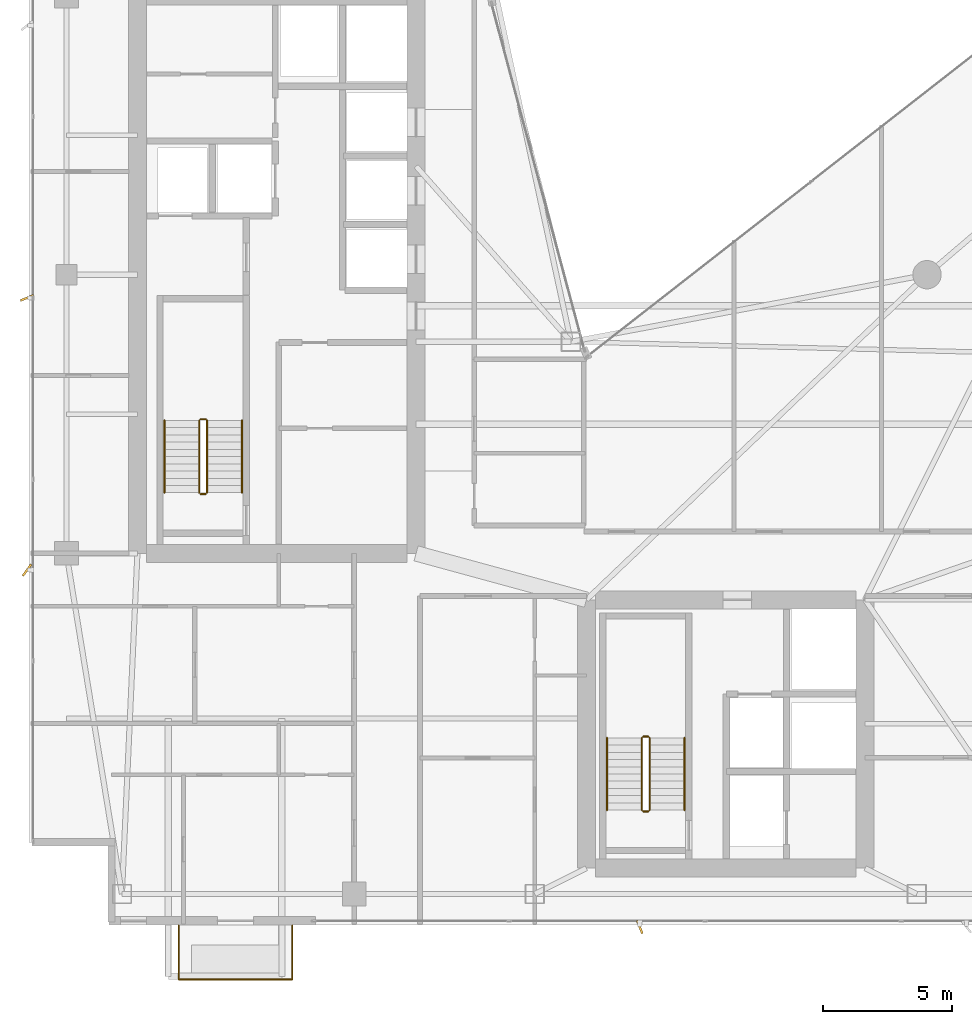
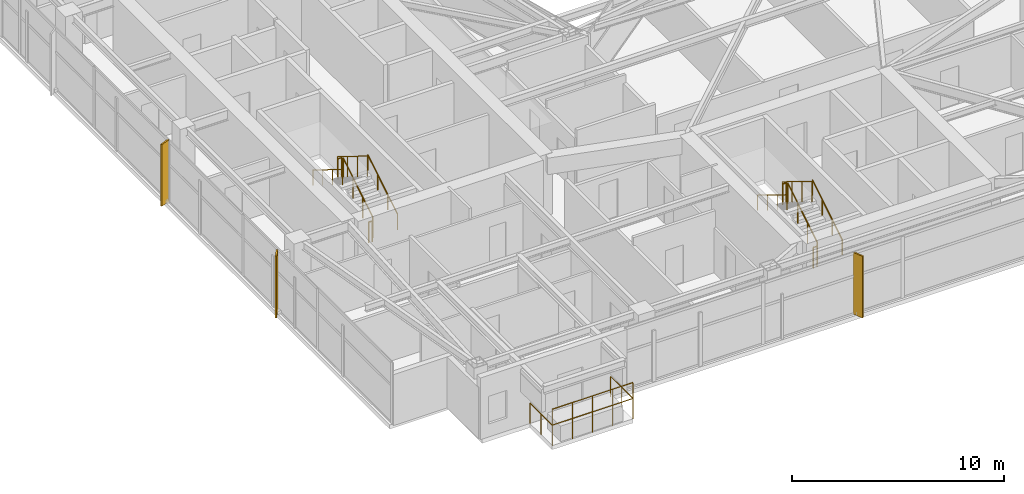
# One storey, part 29 of 30: 14 railings, 3 shading devices.
"""IFC4 building model written with IfcOpenShell, lengths in metres."""

from ifc_helpers import new_model, si_unit, direction, frame, origin, origin_2d, place, context, subcontext, project, spatial, rectangle, circle, extrude, material, type_object, element, save


model = new_model("IFC4")

# Units and contexts
model_context = context("Model", 3, precision=1e-05, world=origin(), true_north=direction((0.0, 1.0)))
body_context = subcontext(model_context, "Body", "Model", "MODEL_VIEW")
ifc_project = project(units=[si_unit("LENGTHUNIT", "METRE"), si_unit("AREAUNIT", "SQUARE_METRE"), si_unit("VOLUMEUNIT", "CUBIC_METRE"), si_unit("PLANEANGLEUNIT", "RADIAN"), si_unit("MASSUNIT", "GRAM", prefix="KILO")], contexts=[model_context])

# Site, building, storey
site_placement = place(None, origin())
site = spatial("IfcSite", under=ifc_project, at=site_placement, CompositionType="ELEMENT")
building_placement = place(site_placement, origin())
building = spatial("IfcBuilding", under=site, at=building_placement, Name="Calvorn Quay Hotel", CompositionType="ELEMENT")
storey_placement = place(building_placement, frame((0.0, 0.0, 203.39990234375)))
storey = spatial("IfcBuildingStorey", under=building, at=storey_placement, Name="L50", CompositionType="ELEMENT", Elevation=203.39990234375)

# Railings
ifc_material_1 = material(Name="Pale Anodised Aluminium and Laminated Glass", Category="aluminium")
railing_type_1 = type_object("IfcRailingType", Name="RLG-BALUSTRADE-1200", PredefinedType="BALUSTRADE", material=ifc_material_1)
railing_1_placement = place(storey_placement, frame((5.800048828125, 2.389892578125, 0.0)))
element("IfcRailing", 1, at=railing_1_placement, inside=storey, type_object=railing_type_1, Name="Tree Balcony Perimeter Balustrade L50-BALC-S", PredefinedType="BALUSTRADE", context=body_context, shape_type="SweptSolid", body=[
    extrude(circle(Radius=0.02392578125, at=origin_2d()), frame((0.0, 0.0, 1.17578125), z_axis=(0.0, -1.0, 0.0), x_axis=(1.0, 0.0, 0.0)), (0.0, 0.0, 1.0), 2.099853515625),
    extrude(circle(Radius=0.02392578125, at=origin_2d()), frame((0.0, -2.099853515625, 1.17578125), z_axis=(1.0, 0.0, 0.0), x_axis=(0.0, 1.0, 0.0)), (0.0, 0.0, 1.0), 4.39990234375),
    extrude(circle(Radius=0.02392578125, at=origin_2d()), frame((4.39990234375, -2.099853515625, 1.17578125), z_axis=(0.0, 1.0, 0.0), x_axis=(-1.0, 0.0, 0.0)), (0.0, 0.0, 1.0), 2.099853515625),
    extrude(circle(Radius=0.02099609375, at=origin_2d()), origin(), (0.0, 0.0, 1.0), 1.15185546875),
    extrude(circle(Radius=0.02099609375, at=origin_2d()), frame((0.0, -1.0498046875, 0.0)), (0.0, 0.0, 1.0), 1.15185546875),
    extrude(circle(Radius=0.02099609375, at=origin_2d()), frame((0.0, -2.099853515625, 0.0)), (0.0, 0.0, 1.0), 1.15185546875),
    extrude(circle(Radius=0.02099609375, at=origin_2d()), frame((1.10009765625, -2.099853515625, 0.0)), (0.0, 0.0, 1.0), 1.15185546875),
    extrude(circle(Radius=0.02099609375, at=origin_2d()), frame((2.199951171875, -2.099853515625, 0.0)), (0.0, 0.0, 1.0), 1.15185546875),
    extrude(circle(Radius=0.02099609375, at=origin_2d()), frame((3.2998046875, -2.099853515625, 0.0)), (0.0, 0.0, 1.0), 1.15185546875),
    extrude(circle(Radius=0.02099609375, at=origin_2d()), frame((4.39990234375, -2.099853515625, 0.0)), (0.0, 0.0, 1.0), 1.15185546875),
    extrude(circle(Radius=0.02099609375, at=origin_2d()), frame((4.39990234375, -1.0498046875, 0.0)), (0.0, 0.0, 1.0), 1.15185546875),
    extrude(circle(Radius=0.02099609375, at=origin_2d()), frame((4.39990234375, 0.0, 0.0)), (0.0, 0.0, 1.0), 1.15185546875),
])
railing_2_placement = place(storey_placement, frame((5.800048828125, 0.2900390625, 0.900146484375)))
element("IfcRailing", 2, at=railing_2_placement, inside=storey, type_object=railing_type_1, Name="Planter Kerb High Safety Screen L50-BALC-S", PredefinedType="BALUSTRADE", context=body_context, shape_type="SweptSolid", body=[
    extrude(circle(Radius=0.02392578125, at=origin_2d()), frame((0.0, 0.0, 1.19580078125), z_axis=(1.0, 0.0, 0.0), x_axis=(0.0, 1.0, 0.0)), (0.0, 0.0, 1.0), 4.39990234375),
    extrude(circle(Radius=0.02099609375, at=origin_2d()), origin(), (0.0, 0.0, 1.0), 1.171875),
    extrude(circle(Radius=0.02099609375, at=origin_2d()), frame((1.10009765625, 0.0, 0.0)), (0.0, 0.0, 1.0), 1.171875),
    extrude(circle(Radius=0.02099609375, at=origin_2d()), frame((2.199951171875, 0.0, 0.0)), (0.0, 0.0, 1.0), 1.171875),
    extrude(circle(Radius=0.02099609375, at=origin_2d()), frame((3.2998046875, 0.0, 0.0)), (0.0, 0.0, 1.0), 1.171875),
    extrude(circle(Radius=0.02099609375, at=origin_2d()), frame((4.39990234375, 0.0, 0.0)), (0.0, 0.0, 1.0), 1.171875),
])
ifc_material_2 = material(Name="Brushed Stainless Steel Handrail", Category="steel")
railing_type_2 = type_object("IfcRailingType", Name="RLG-HANDRAIL-900", PredefinedType="HANDRAIL", material=ifc_material_2)
railing_3_placement = place(storey_placement, frame((8.25, 19.14990234375, 0.1728515625)))
element("IfcRailing", 3, at=railing_3_placement, inside=storey, type_object=railing_type_2, Name="L50 ST-W stair handrail 1", PredefinedType="HANDRAIL", context=body_context, shape_type="SweptSolid", body=[
    extrude(circle(Radius=0.02392578125, at=origin_2d()), frame((0.0, 0.0, 0.8759765625), z_axis=(0.0, 0.851089632645, 0.525020415988), x_axis=(-1.0, 0.0, 0.0)), (0.0, 0.0, 1.0), 3.2900390625),
    extrude(circle(Radius=0.02099609375, at=origin_2d()), origin(), (0.0, 0.0, 1.0), 0.851806640625),
    extrude(circle(Radius=0.02099609375, at=origin_2d()), frame((0.0, 0.933349609375, 0.57568359375)), (0.0, 0.0, 1.0), 0.851806640625),
    extrude(circle(Radius=0.02099609375, at=origin_2d()), frame((0.0, 1.86669921875, 1.151611328125)), (0.0, 0.0, 1.0), 0.851806640625),
    extrude(circle(Radius=0.02099609375, at=origin_2d()), frame((0.0, 2.800048828125, 1.727294921875)), (0.0, 0.0, 1.0), 0.851806640625),
])
railing_4_placement = place(storey_placement, frame((5.25, 21.949951171875, 2.07275390625)))
element("IfcRailing", 4, at=railing_4_placement, inside=storey, type_object=railing_type_2, Name="L50 ST-W stair handrail 2", PredefinedType="HANDRAIL", context=body_context, shape_type="SweptSolid", body=[
    extrude(circle(Radius=0.02392578125, at=origin_2d()), frame((0.0, 0.0, 0.8759765625), z_axis=(0.0, -0.851089632645, 0.525020415988), x_axis=(1.0, 0.0, 0.0)), (0.0, 0.0, 1.0), 3.2900390625),
    extrude(circle(Radius=0.02099609375, at=origin_2d()), origin(), (0.0, 0.0, 1.0), 0.851806640625),
    extrude(circle(Radius=0.02099609375, at=origin_2d()), frame((0.0, -0.933349609375, 0.57568359375)), (0.0, 0.0, 1.0), 0.851806640625),
    extrude(circle(Radius=0.02099609375, at=origin_2d()), frame((0.0, -1.86669921875, 1.151611328125)), (0.0, 0.0, 1.0), 0.851806640625),
    extrude(circle(Radius=0.02099609375, at=origin_2d()), frame((0.0, -2.800048828125, 1.727294921875)), (0.0, 0.0, 1.0), 0.851806640625),
])
railing_5_placement = place(storey_placement, frame((25.39990234375, 6.85009765625, 0.1728515625)))
element("IfcRailing", 5, at=railing_5_placement, inside=storey, type_object=railing_type_2, Name="L50 ST-E stair handrail 1", PredefinedType="HANDRAIL", context=body_context, shape_type="SweptSolid", body=[
    extrude(circle(Radius=0.02392578125, at=origin_2d()), frame((0.0, 0.0, 0.8759765625), z_axis=(0.0, 0.851069175582, 0.525053576669), x_axis=(-1.0, 0.0, 0.0)), (0.0, 0.0, 1.0), 3.289794921875),
    extrude(circle(Radius=0.02099609375, at=origin_2d()), origin(), (0.0, 0.0, 1.0), 0.851806640625),
    extrude(circle(Radius=0.02099609375, at=origin_2d()), frame((0.0, 0.933349609375, 0.57568359375)), (0.0, 0.0, 1.0), 0.851806640625),
    extrude(circle(Radius=0.02099609375, at=origin_2d()), frame((0.0, 1.866455078125, 1.151611328125)), (0.0, 0.0, 1.0), 0.851806640625),
    extrude(circle(Radius=0.02099609375, at=origin_2d()), frame((0.0, 2.7998046875, 1.727294921875)), (0.0, 0.0, 1.0), 0.851806640625),
])
railing_6_placement = place(storey_placement, frame((22.39990234375, 9.64990234375, 2.07275390625)))
element("IfcRailing", 6, at=railing_6_placement, inside=storey, type_object=railing_type_2, Name="L50 ST-E stair handrail 2", PredefinedType="HANDRAIL", context=body_context, shape_type="SweptSolid", body=[
    extrude(circle(Radius=0.02392578125, at=origin_2d()), frame((0.0, 0.0, 0.8759765625), z_axis=(0.0, -0.851069175582, 0.525053576669), x_axis=(1.0, 0.0, 0.0)), (0.0, 0.0, 1.0), 3.289794921875),
    extrude(circle(Radius=0.02099609375, at=origin_2d()), origin(), (0.0, 0.0, 1.0), 0.851806640625),
    extrude(circle(Radius=0.02099609375, at=origin_2d()), frame((0.0, -0.933349609375, 0.57568359375)), (0.0, 0.0, 1.0), 0.851806640625),
    extrude(circle(Radius=0.02099609375, at=origin_2d()), frame((0.0, -1.866455078125, 1.151611328125)), (0.0, 0.0, 1.0), 0.851806640625),
    extrude(circle(Radius=0.02099609375, at=origin_2d()), frame((0.0, -2.7998046875, 1.727294921875)), (0.0, 0.0, 1.0), 0.851806640625),
])
ifc_material_3 = material(Name="Painted Galvanised Steel Balustrade", Category="steel")
railing_type_3 = type_object("IfcRailingType", Name="RLG-STAIR-GUARD-1120", PredefinedType="GUARDRAIL", material=ifc_material_3)
railing_7_placement = place(storey_placement, frame((6.89990234375, 19.14990234375, 0.1728515625)))
element("IfcRailing", 7, at=railing_7_placement, inside=storey, type_object=railing_type_3, Name="L50 ST-W stair guard 1", PredefinedType="GUARDRAIL", context=body_context, shape_type="SweptSolid", body=[
    extrude(circle(Radius=0.02392578125, at=origin_2d()), frame((0.0, 0.0, 1.17578125), z_axis=(0.0, 0.851089632645, 0.525020415988), x_axis=(-1.0, 0.0, 0.0)), (0.0, 0.0, 1.0), 3.2900390625),
    extrude(circle(Radius=0.02099609375, at=origin_2d()), origin(), (0.0, 0.0, 1.0), 1.15185546875),
    extrude(circle(Radius=0.02099609375, at=origin_2d()), frame((0.0, 0.933349609375, 0.57568359375)), (0.0, 0.0, 1.0), 1.15185546875),
    extrude(circle(Radius=0.02099609375, at=origin_2d()), frame((0.0, 1.86669921875, 1.151611328125)), (0.0, 0.0, 1.0), 1.15185546875),
    extrude(circle(Radius=0.02099609375, at=origin_2d()), frame((0.0, 2.800048828125, 1.727294921875)), (0.0, 0.0, 1.0), 1.15185546875),
])
railing_8_placement = place(storey_placement, frame((6.85009765625, 22.0, 1.900146484375)))
element("IfcRailing", 8, at=railing_8_placement, inside=storey, type_object=railing_type_3, Name="L50 ST-W stair guard 2", PredefinedType="GUARDRAIL", context=body_context, shape_type="SweptSolid", body=[
    extrude(circle(Radius=0.02392578125, at=origin_2d()), frame((0.0, 0.0, 1.17578125), z_axis=(-1.0, 0.0, 0.0), x_axis=(0.0, -1.0, 0.0)), (0.0, 0.0, 1.0), 0.2001953125),
    extrude(circle(Radius=0.02099609375, at=origin_2d()), origin(), (0.0, 0.0, 1.0), 1.15185546875),
    extrude(circle(Radius=0.02099609375, at=origin_2d()), frame((-0.2001953125, 0.0, 0.0)), (0.0, 0.0, 1.0), 1.15185546875),
])
railing_9_placement = place(storey_placement, frame((6.60009765625, 21.949951171875, 2.07275390625)))
element("IfcRailing", 9, at=railing_9_placement, inside=storey, type_object=railing_type_3, Name="L50 ST-W stair guard 3", PredefinedType="GUARDRAIL", context=body_context, shape_type="SweptSolid", body=[
    extrude(circle(Radius=0.02392578125, at=origin_2d()), frame((0.0, 0.0, 1.17578125), z_axis=(0.0, -0.851089632645, 0.525020415988), x_axis=(1.0, 0.0, 0.0)), (0.0, 0.0, 1.0), 3.2900390625),
    extrude(circle(Radius=0.02099609375, at=origin_2d()), origin(), (0.0, 0.0, 1.0), 1.15185546875),
    extrude(circle(Radius=0.02099609375, at=origin_2d()), frame((0.0, -0.933349609375, 0.57568359375)), (0.0, 0.0, 1.0), 1.15185546875),
    extrude(circle(Radius=0.02099609375, at=origin_2d()), frame((0.0, -1.86669921875, 1.151611328125)), (0.0, 0.0, 1.0), 1.15185546875),
    extrude(circle(Radius=0.02099609375, at=origin_2d()), frame((0.0, -2.800048828125, 1.727294921875)), (0.0, 0.0, 1.0), 1.15185546875),
])
railing_10_placement = place(storey_placement, frame((6.85009765625, 19.10009765625, 0.0)))
element("IfcRailing", 10, at=railing_10_placement, inside=storey, type_object=railing_type_3, Name="L50 ST-W stair guard 4", PredefinedType="GUARDRAIL", context=body_context, shape_type="SweptSolid", body=[
    extrude(circle(Radius=0.02392578125, at=origin_2d()), frame((0.0, 0.0, 1.17578125), z_axis=(-1.0, 0.0, 0.0), x_axis=(0.0, -1.0, 0.0)), (0.0, 0.0, 1.0), 0.2001953125),
    extrude(circle(Radius=0.02099609375, at=origin_2d()), origin(), (0.0, 0.0, 1.0), 1.15185546875),
    extrude(circle(Radius=0.02099609375, at=origin_2d()), frame((-0.2001953125, 0.0, 0.0)), (0.0, 0.0, 1.0), 1.15185546875),
])
railing_11_placement = place(storey_placement, frame((24.050048828125, 6.85009765625, 0.1728515625)))
element("IfcRailing", 11, at=railing_11_placement, inside=storey, type_object=railing_type_3, Name="L50 ST-E stair guard 1", PredefinedType="GUARDRAIL", context=body_context, shape_type="SweptSolid", body=[
    extrude(circle(Radius=0.02392578125, at=origin_2d()), frame((0.0, 0.0, 1.17578125), z_axis=(0.0, 0.851069175582, 0.525053576669), x_axis=(-1.0, 0.0, 0.0)), (0.0, 0.0, 1.0), 3.289794921875),
    extrude(circle(Radius=0.02099609375, at=origin_2d()), origin(), (0.0, 0.0, 1.0), 1.15185546875),
    extrude(circle(Radius=0.02099609375, at=origin_2d()), frame((0.0, 0.933349609375, 0.57568359375)), (0.0, 0.0, 1.0), 1.15185546875),
    extrude(circle(Radius=0.02099609375, at=origin_2d()), frame((0.0, 1.866455078125, 1.151611328125)), (0.0, 0.0, 1.0), 1.15185546875),
    extrude(circle(Radius=0.02099609375, at=origin_2d()), frame((0.0, 2.7998046875, 1.727294921875)), (0.0, 0.0, 1.0), 1.15185546875),
])
railing_12_placement = place(storey_placement, frame((24.0, 9.699951171875, 1.900146484375)))
element("IfcRailing", 12, at=railing_12_placement, inside=storey, type_object=railing_type_3, Name="L50 ST-E stair guard 2", PredefinedType="GUARDRAIL", context=body_context, shape_type="SweptSolid", body=[
    extrude(circle(Radius=0.02392578125, at=origin_2d()), frame((0.0, 0.0, 1.17578125), z_axis=(-1.0, 0.0, 0.0), x_axis=(0.0, -1.0, 0.0)), (0.0, 0.0, 1.0), 0.199951171875),
    extrude(circle(Radius=0.02099609375, at=origin_2d()), origin(), (0.0, 0.0, 1.0), 1.15185546875),
    extrude(circle(Radius=0.02099609375, at=origin_2d()), frame((-0.199951171875, 0.0, 0.0)), (0.0, 0.0, 1.0), 1.15185546875),
])
railing_13_placement = place(storey_placement, frame((23.75, 9.64990234375, 2.07275390625)))
element("IfcRailing", 13, at=railing_13_placement, inside=storey, type_object=railing_type_3, Name="L50 ST-E stair guard 3", PredefinedType="GUARDRAIL", context=body_context, shape_type="SweptSolid", body=[
    extrude(circle(Radius=0.02392578125, at=origin_2d()), frame((0.0, 0.0, 1.17578125), z_axis=(0.0, -0.851069175582, 0.525053576669), x_axis=(1.0, 0.0, 0.0)), (0.0, 0.0, 1.0), 3.289794921875),
    extrude(circle(Radius=0.02099609375, at=origin_2d()), origin(), (0.0, 0.0, 1.0), 1.15185546875),
    extrude(circle(Radius=0.02099609375, at=origin_2d()), frame((0.0, -0.933349609375, 0.57568359375)), (0.0, 0.0, 1.0), 1.15185546875),
    extrude(circle(Radius=0.02099609375, at=origin_2d()), frame((0.0, -1.866455078125, 1.151611328125)), (0.0, 0.0, 1.0), 1.15185546875),
    extrude(circle(Radius=0.02099609375, at=origin_2d()), frame((0.0, -2.7998046875, 1.727294921875)), (0.0, 0.0, 1.0), 1.15185546875),
])
railing_14_placement = place(storey_placement, frame((24.0, 6.800048828125, 0.0)))
element("IfcRailing", 14, at=railing_14_placement, inside=storey, type_object=railing_type_3, Name="L50 ST-E stair guard 4", PredefinedType="GUARDRAIL", context=body_context, shape_type="SweptSolid", body=[
    extrude(circle(Radius=0.02392578125, at=origin_2d()), frame((0.0, 0.0, 1.17578125), z_axis=(-1.0, 0.0, 0.0), x_axis=(0.0, -1.0, 0.0)), (0.0, 0.0, 1.0), 0.199951171875),
    extrude(circle(Radius=0.02099609375, at=origin_2d()), origin(), (0.0, 0.0, 1.0), 1.15185546875),
    extrude(circle(Radius=0.02099609375, at=origin_2d()), frame((-0.199951171875, 0.0, 0.0)), (0.0, 0.0, 1.0), 1.15185546875),
])

# Shading devices
ifc_material_4 = material(Name="Champagne Bronze Anodised Aluminium 6063-T6", Category="aluminium")
shading_device_type_1 = type_object("IfcShadingDeviceType", Name="SHD-FIN-A1", PredefinedType="USERDEFINED", material=ifc_material_4)
for number, where, z_axis, x_axis, name in (
    (15, (-0.080078125, 26.699951171875, 0.0), (0.0, 0.0, 1.0), (0.927183854567, 0.374606593416, 0.0), "Diagonal Sun-Shading Fin L50-W02"),
    (16, (23.6669921875, 2.320068359375, 0.0), (0.0, 0.0, 1.0), (-0.374606593416, 0.927183854567, 0.0), "Diagonal Sun-Shading Fin L50-S01"),
):
    element("IfcShadingDevice", number, at=place(storey_placement, frame(where, z_axis=z_axis, x_axis=x_axis)), inside=storey, type_object=shading_device_type_1, Name=name, ObjectType="FIN", PredefinedType="USERDEFINED", context=body_context, shape_type="SweptSolid", body=[
        extrude(rectangle(XDim=0.550048828125, YDim=0.080078125, at=origin_2d()), origin(), (0.0, 0.0, 1.0), 3.56005859375),
    ])
ifc_material_5 = material(Name="Champagne Bronze Anodised Aluminium 6063-T6", Category="aluminium")
shading_device_type_2 = type_object("IfcShadingDeviceType", Name="SHD-FIN-A3", PredefinedType="USERDEFINED", material=ifc_material_5)
shading_device_placement = place(storey_placement, frame((-0.080078125, 16.14990234375, 0.0), z_axis=(0.0, 0.0, 1.0), x_axis=(0.587785252292, 0.809016994375, 0.0)))
element("IfcShadingDevice", 17, at=shading_device_placement, inside=storey, type_object=shading_device_type_2, Name="Diagonal Sun-Shading Fin L50-W01", ObjectType="FIN", PredefinedType="USERDEFINED", context=body_context, shape_type="SweptSolid", body=[
    extrude(rectangle(XDim=0.550048828125, YDim=0.080078125, at=origin_2d()), origin(), (0.0, 0.0, 1.0), 3.56005859375),
])

save(model, "model.ifc")
